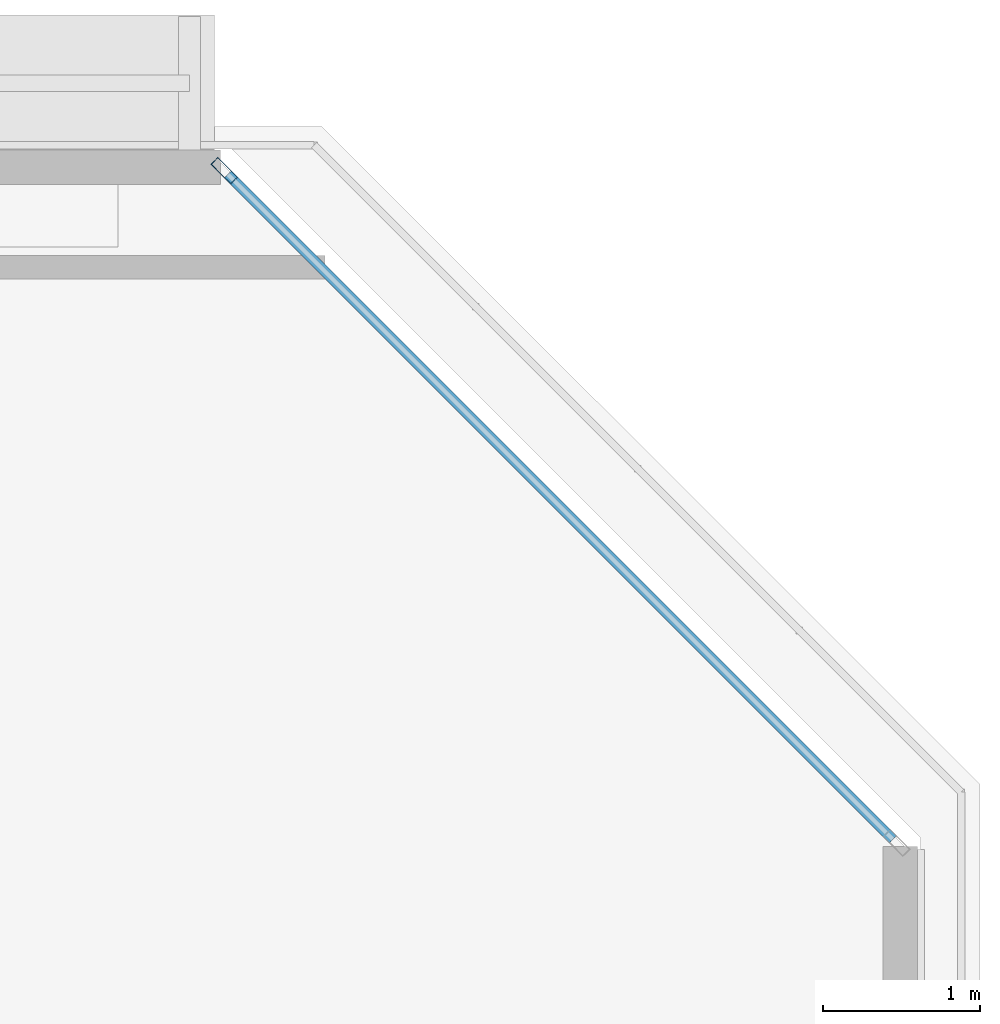
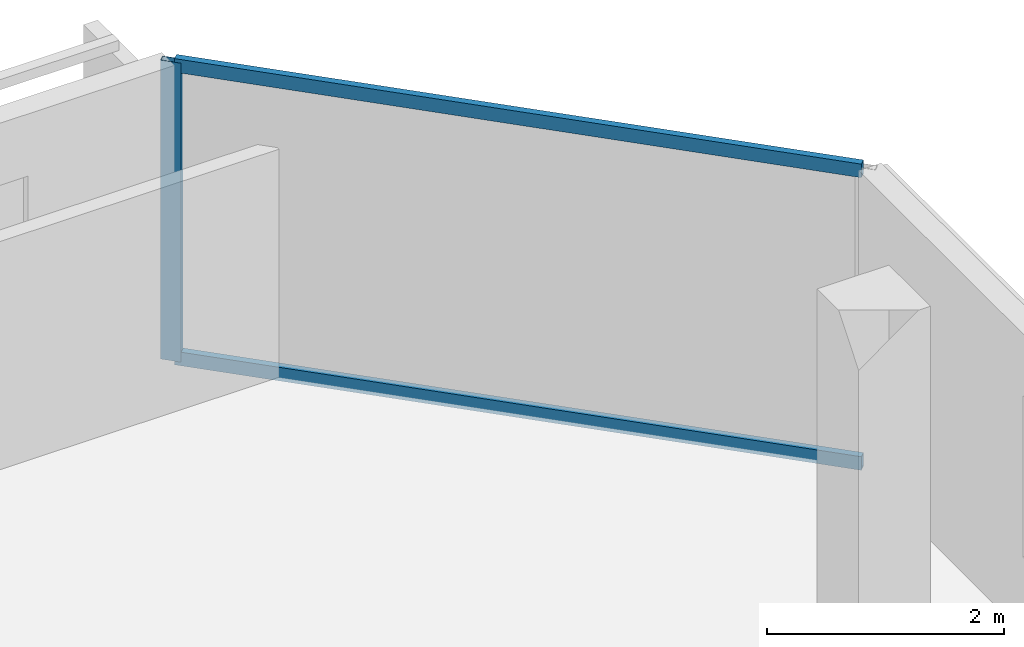
# One storey, part 19 of 30: 3 members, 1 element without a shape of its own.
"""IFC4 building model written with IfcOpenShell, lengths in metres."""

from ifc_helpers import new_model, si_unit, direction, frame, origin, origin_2d, place, context, subcontext, project, spatial, hollow_rectangle, extrude, material, layer, layer_set, material_profile, profile_set, type_object, element, aggregate, save


model = new_model("IFC4")

# Units and contexts
model_context = context("Model", 3, precision=1e-05, world=origin(), true_north=direction((0.0, 1.0)))
body_context = subcontext(model_context, "Body", "Model", "MODEL_VIEW")
ifc_project = project(units=[si_unit("LENGTHUNIT", "METRE"), si_unit("AREAUNIT", "SQUARE_METRE"), si_unit("VOLUMEUNIT", "CUBIC_METRE"), si_unit("PLANEANGLEUNIT", "RADIAN"), si_unit("MASSUNIT", "GRAM", prefix="KILO")], contexts=[model_context])

# Site, building, storey
site_placement = place(None, origin())
site = spatial("IfcSite", under=ifc_project, at=site_placement, CompositionType="ELEMENT")
building_placement = place(site_placement, origin())
building = spatial("IfcBuilding", under=site, at=building_placement, Name="Tanjung Sevakor Pilgrim Tower", CompositionType="ELEMENT")
storey_placement = place(building_placement, frame((0.0, 0.0, 229.35009765625)))
storey = spatial("IfcBuildingStorey", under=building, at=storey_placement, Name="L64", CompositionType="ELEMENT", Elevation=229.35009765625)

# Curtain wall, members
ifc_material_1 = material(Name="Aluminium 6063-T6 and Low-E Glass", Category="aluminium")
ifc_layer = layer(ifc_material_1, 0.179931640625)
ifc_layer_set = layer_set([ifc_layer], Name="CW-SYS-CHAM")
curtain_wall_type = type_object("IfcCurtainWallType", Name="CW-SYS-CHAM", PredefinedType="NOTDEFINED", material=ifc_layer_set)
curtain_wall_placement = place(storey_placement, origin())
curtain_wall = element("IfcCurtainWall", 1, at=curtain_wall_placement, inside=storey, type_object=curtain_wall_type, Name="L64 Curtain Wall CW-CHM-L64-EAST-3", PredefinedType="NOTDEFINED")
ifc_material_2 = material(Name="Aluminium 6063-T6", Category="aluminium")
ifc_material_profile_1 = material_profile(ifc_material_2, hollow_rectangle(XDim=0.06494140625, YDim=0.179931640625, WallThickness=0.00390625, at=origin_2d()))
ifc_profile_set_1 = profile_set([ifc_material_profile_1], Name="Aluminium 6063-T6")
member_type_1 = type_object("IfcMemberType", Name="TYPE-CWM-1", PredefinedType="MULLION", material=ifc_profile_set_1)
member_1_placement = place(storey_placement, frame((94.77734375, 54.866943359375, 0.0), z_axis=(0.0, 0.0, 1.0), x_axis=(-0.707106781187, -0.707106781187, 0.0)))
member_1 = element("IfcMember", 2, at=member_1_placement, type_object=member_type_1, Name="CW-CHM mullion 2", PredefinedType="MULLION", context=body_context, shape_type="SweptSolid", body=[
    extrude(hollow_rectangle(XDim=0.06494140625, YDim=0.179931640625, WallThickness=0.00390625, at=origin_2d()), origin(), (0.0, 0.0, 1.0), 3.079833984375),
])
ifc_material_3 = material(Name="Aluminium 6063-T6", Category="aluminium")
ifc_material_profile_2 = material_profile(ifc_material_3, hollow_rectangle(XDim=0.06494140625, YDim=0.139892578125, WallThickness=0.00390625, at=origin_2d()))
ifc_profile_set_2 = profile_set([ifc_material_profile_2], Name="Aluminium 6063-T6")
member_type_2 = type_object("IfcMemberType", Name="TYPE-CWT-1", PredefinedType="USERDEFINED", material=ifc_profile_set_2)
member_2_placement = place(storey_placement, frame((99.0439453125, 50.600341796875, 0.032470703125), z_axis=(-0.707106781187, 0.707106781187, 0.0), x_axis=(-0.707106781187, -0.707106781187, 0.0)))
member_2 = element("IfcMember", 3, at=member_2_placement, type_object=member_type_2, Name="CW-CHM transom 1.1", ObjectType="TRANSOM", PredefinedType="USERDEFINED", context=body_context, shape_type="SweptSolid", body=[
    extrude(hollow_rectangle(XDim=0.06494140625, YDim=0.139892578125, WallThickness=0.00390625, at=origin_2d()), origin(), (0.0, 0.0, 1.0), 6.00146484375),
])
member_3_placement = place(storey_placement, frame((99.0439453125, 50.600341796875, 3.04736328125), z_axis=(-0.707106781187, 0.707106781187, 0.0), x_axis=(-0.707106781187, -0.707106781187, 0.0)))
member_3 = element("IfcMember", 4, at=member_3_placement, type_object=member_type_2, Name="CW-CHM transom 1.2", ObjectType="TRANSOM", PredefinedType="USERDEFINED", context=body_context, shape_type="SweptSolid", body=[
    extrude(hollow_rectangle(XDim=0.06494140625, YDim=0.139892578125, WallThickness=0.00390625, at=origin_2d()), origin(), (0.0, 0.0, 1.0), 6.00146484375),
])
aggregate(curtain_wall, [member_1, member_2, member_3])

save(model, "model.ifc")
